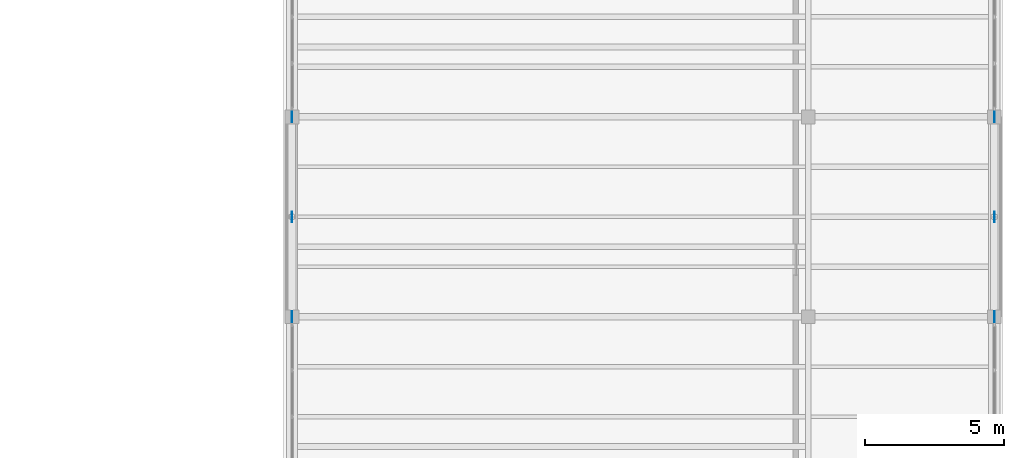
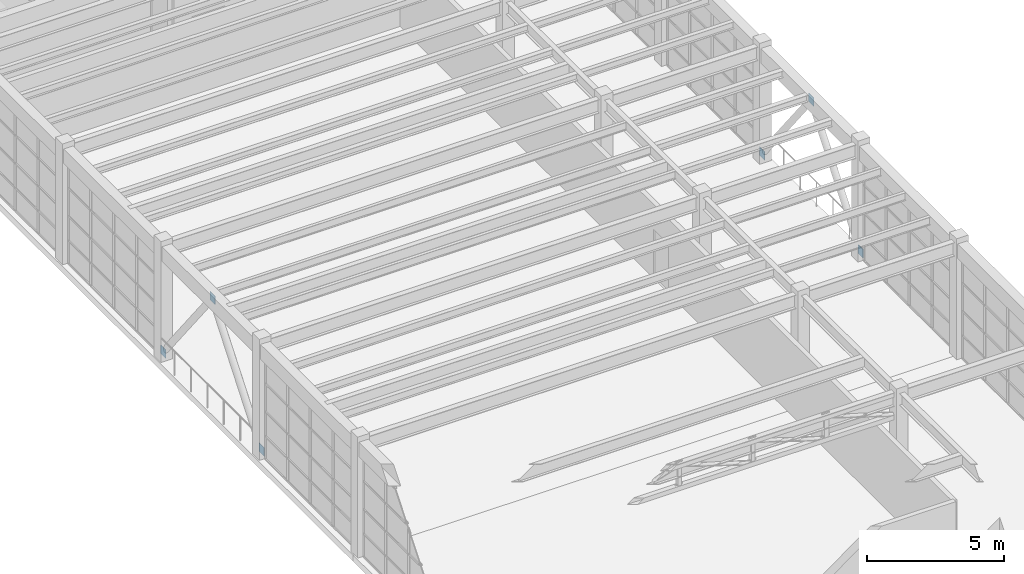
# One storey, part 89 of 103: 6 plates.
"""IFC4 building model written with IfcOpenShell, lengths in metres."""

from ifc_helpers import new_model, si_unit, direction, frame, origin, origin_2d, place, context, subcontext, project, spatial, rectangle, extrude, material, layer, layer_set, type_object, element, save


model = new_model("IFC4")

# Units and contexts
model_context = context("Model", 3, precision=1e-05, world=origin(), true_north=direction((0.0, 1.0)))
body_context = subcontext(model_context, "Body", "Model", "MODEL_VIEW")
ifc_project = project(units=[si_unit("LENGTHUNIT", "METRE"), si_unit("AREAUNIT", "SQUARE_METRE"), si_unit("VOLUMEUNIT", "CUBIC_METRE"), si_unit("PLANEANGLEUNIT", "RADIAN"), si_unit("MASSUNIT", "GRAM", prefix="KILO")], contexts=[model_context])

# Site, building, storey
site_placement = place(None, origin())
site = spatial("IfcSite", under=ifc_project, at=site_placement, CompositionType="ELEMENT")
building_placement = place(site_placement, origin())
building = spatial("IfcBuilding", under=site, at=building_placement, Name="Candilejo Ridge Gondola Terminal", CompositionType="ELEMENT")
storey_placement = place(building_placement, frame((0.0, 0.0, 9.0)))
storey = spatial("IfcBuildingStorey", under=building, at=storey_placement, Name="L02", CompositionType="ELEMENT", Elevation=9.0)

# Plates
ifc_material = material(Name="Steel ASTM A572 Grade 50", Category="steel")
ifc_layer = layer(ifc_material, 0.02001953125)
ifc_layer_set = layer_set([ifc_layer], Name="STR-NODE-PLATE-380X380X20")
plate_type = type_object("IfcPlateType", Name="STR-NODE-PLATE-380X380X20", PredefinedType="USERDEFINED", material=ifc_layer_set)
for number, where, z_axis, x_axis, name in (
    (1, (150.0, 81.050048828125, 4.64501953125), (0.0, 0.0, 1.0), (1.0, 0.0, 0.0), "Chevron gusset plate 239"),
    (2, (150.0, 77.449951171875, 0.06005859375), (0.0, 0.0, 1.0), (1.0, 0.0, 0.0), "Chevron gusset plate 240"),
    (3, (150.0, 84.64990234375, 0.06005859375), (0.0, 0.0, 1.0), (1.0, 0.0, 0.0), "Chevron gusset plate 241"),
    (4, (175.300048828125, 81.050048828125, 4.64501953125), (0.0, 0.0, 1.0), (1.0, 0.0, 0.0), "Chevron gusset plate 250"),
    (5, (175.300048828125, 77.449951171875, 0.06005859375), (0.0, 0.0, 1.0), (1.0, 0.0, 0.0), "Chevron gusset plate 251"),
    (6, (175.300048828125, 84.64990234375, 0.06005859375), (0.0, 0.0, 1.0), (1.0, 0.0, 0.0), "Chevron gusset plate 252"),
):
    element("IfcPlate", number, at=place(storey_placement, frame(where, z_axis=z_axis, x_axis=x_axis)), inside=storey, type_object=plate_type, Name=name, ObjectType="NODE PLATE", PredefinedType="USERDEFINED", context=body_context, shape_type="SweptSolid", body=[
        extrude(rectangle(XDim=0.02001953125, YDim=0.3798828125, at=origin_2d()), origin(), (0.0, 0.0, 1.0), 0.3798828125),
    ])

save(model, "model.ifc")
